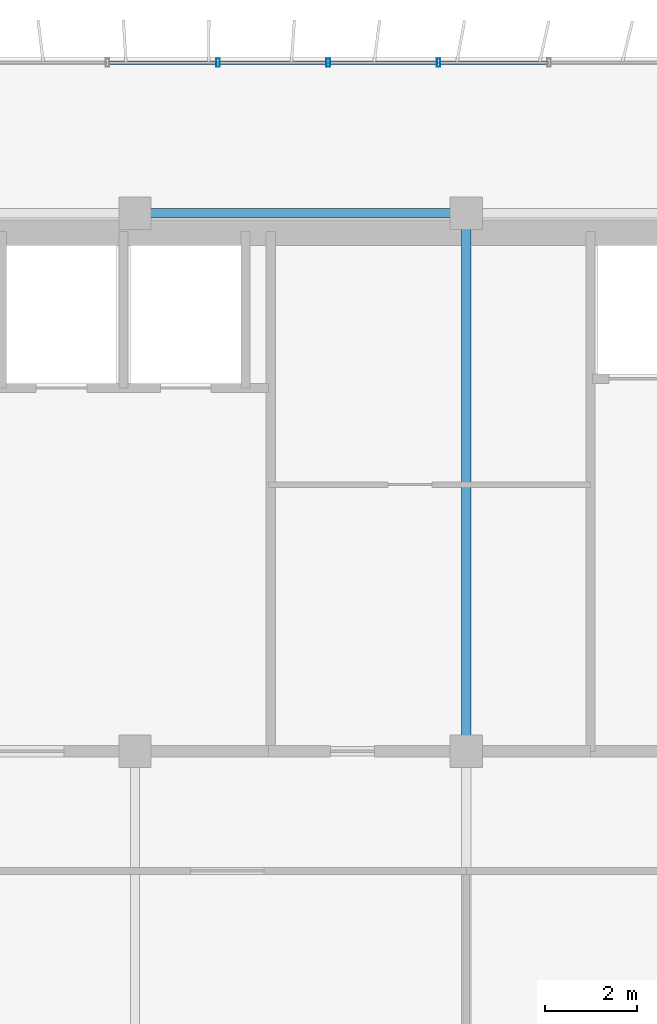
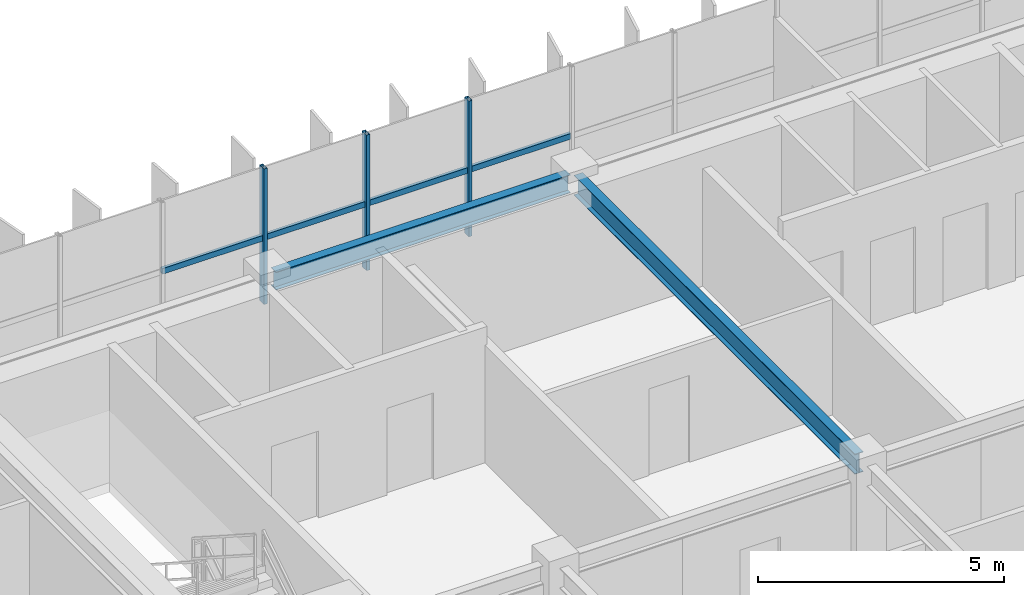
# One storey, part 7 of 19: 7 members, 2 beams, 1 element without a shape of its own.
"""IFC4 building model written with IfcOpenShell, lengths in metres."""

import ifcopenshell
import ifcopenshell.guid

model = None  # the IFC model being written
_history = None  # IfcOwnerHistory: only IFC2X3 demands one
_inside = {}  # id of a spatial element -> (the spatial element, [elements in it])
_under = {}  # id of a project, library or spatial element -> (it, [spatial elements below it])
_declared = {}  # id of a project -> (the project, [libraries it declares])
_typed = {}  # id of a type object -> (the type object, [elements of that type])
_made_of = {}  # id of a material, layer set ... -> (it, [elements and type objects made of it])


def new_model(schema):
    """Start an empty IFC model of exactly this schema.

    Asked for "IFC4X3", IfcOpenShell would pick the latest addendum, in which some entities
    have other attributes; the version numbers below select the first issue.
    IFC2X3 requires an IfcOwnerHistory on every rooted entity: one is made here for all.
    """
    global model, _history
    if schema == "IFC4X3":
        model = ifcopenshell.file(schema_version=(4, 3, 0, 0))
    else:
        model = ifcopenshell.file(schema=schema)
    _inside.clear()
    _under.clear()
    _declared.clear()
    _typed.clear()
    _made_of.clear()
    _history = None
    if model.schema == "IFC2X3":
        org = make("IfcOrganization", Name="unknown")
        user = make(
            "IfcPersonAndOrganization",
            ThePerson=make("IfcPerson", FamilyName="unknown"),
            TheOrganization=org,
        )
        app = make(
            "IfcApplication",
            ApplicationDeveloper=org,
            Version="unknown",
            ApplicationFullName="unknown",
            ApplicationIdentifier="unknown",
        )
        _history = make(
            "IfcOwnerHistory",
            OwningUser=user,
            OwningApplication=app,
            ChangeAction="ADDED",
            CreationDate=0,
        )
    return model


def make(cls, **values):
    """One entity of the class cls with the attributes given. An attribute that is None is left unset."""
    return model.create_entity(
        cls, **{name: value for name, value in values.items() if value is not None}
    )


def rooted(cls, **values):
    """An entity with a GlobalId (a new one), such as an element, a storey or a relation."""
    return make(cls, GlobalId=ifcopenshell.guid.new(), OwnerHistory=_history, **values)


def si_unit(unit_type, name, prefix=None):
    """IfcSIUnit, for example si_unit("LENGTHUNIT", "METRE", prefix="MILLI")."""
    return make("IfcSIUnit", UnitType=unit_type, Prefix=prefix, Name=name)


def assignment(units):
    """IfcUnitAssignment: the units of a project."""
    return None if units is None else make("IfcUnitAssignment", Units=units)


def point(xyz):
    """IfcCartesianPoint."""
    return None if xyz is None else make("IfcCartesianPoint", Coordinates=xyz)


def direction(xyz):
    """IfcDirection."""
    return None if xyz is None else make("IfcDirection", DirectionRatios=xyz)


def frame(location, z_axis=None, x_axis=None):
    """IfcAxis2Placement3D, a coordinate frame: its origin and axes. An axis left out is left unset."""
    return make(
        "IfcAxis2Placement3D",
        Location=point(location),
        Axis=direction(z_axis),
        RefDirection=direction(x_axis),
    )


def frame_2d(location, x_axis=None):
    """IfcAxis2Placement2D, a coordinate frame in the plane: its origin and x axis."""
    return make(
        "IfcAxis2Placement2D", Location=point(location), RefDirection=direction(x_axis)
    )


def origin():
    """The frame at (0, 0, 0) with its axes left unset."""
    return frame((0.0, 0.0, 0.0))


def origin_2d():
    """The frame at (0, 0) in the plane with its x axis left unset."""
    return frame_2d((0.0, 0.0))


def place(relative_to, where):
    """IfcLocalPlacement: puts the frame where relative to a parent placement (None: the world)."""
    return make(
        "IfcLocalPlacement", PlacementRelTo=relative_to, RelativePlacement=where
    )


def context(
    kind, dimensions, precision=None, world=None, true_north=None, identifier=None
):
    """IfcGeometricRepresentationContext, for example the 3D "Model" context."""
    return make(
        "IfcGeometricRepresentationContext",
        ContextIdentifier=identifier,
        ContextType=kind,
        CoordinateSpaceDimension=dimensions,
        Precision=precision,
        WorldCoordinateSystem=world,
        TrueNorth=true_north,
    )


def subcontext(parent, identifier, kind, view, scale=None):
    """IfcGeometricRepresentationSubContext, for example "Body" below "Model"."""
    return make(
        "IfcGeometricRepresentationSubContext",
        ContextIdentifier=identifier,
        ContextType=kind,
        ParentContext=parent,
        TargetScale=scale,
        TargetView=view,
    )


def project(units=None, contexts=None):
    """IfcProject with its units and contexts."""
    return rooted(
        "IfcProject",
        Name="project",
        RepresentationContexts=contexts,
        UnitsInContext=assignment(units),
    )


def spatial(cls, under=None, at=None, **own):
    """A site, building, storey or space (cls), placed at a placement, below another one or the project."""
    s = rooted(cls, ObjectPlacement=at, **own)
    if under is not None:
        _under.setdefault(under.id(), (under, []))[1].append(s)
    return s


def profile(cls, at=None, kind="AREA", **sizes):
    """A parametric profile (cls). Its sizes go by their IFC names, for example OverallWidth=200.0."""
    return make(cls, ProfileType=kind, Position=at, **sizes)


def hollow_rectangle(**sizes):
    """IfcRectangleHollowProfileDef."""
    return profile("IfcRectangleHollowProfileDef", **sizes)


def i_section(**sizes):
    """IfcIShapeProfileDef."""
    return profile("IfcIShapeProfileDef", **sizes)


def extrude(swept, where, along, depth):
    """IfcExtrudedAreaSolid: the profile swept, set in the frame where, extruded along a direction by depth."""
    return make(
        "IfcExtrudedAreaSolid",
        SweptArea=swept,
        Position=where,
        ExtrudedDirection=direction(along),
        Depth=depth,
    )


def shape(context_of_items, identifier, shape_type, items):
    """IfcShapeRepresentation: the items that make up one representation, for example the "Body"."""
    return make(
        "IfcShapeRepresentation",
        ContextOfItems=context_of_items,
        RepresentationIdentifier=identifier,
        RepresentationType=shape_type,
        Items=items,
    )


def source(mapping_origin, context_of_items, identifier, shape_type, items):
    """IfcRepresentationMap: a shape defined once, which mapped items show again and again."""
    return make(
        "IfcRepresentationMap",
        MappingOrigin=mapping_origin,
        MappedRepresentation=shape(context_of_items, identifier, shape_type, items),
    )


def transform(
    local_origin,
    x_axis=None,
    y_axis=None,
    z_axis=None,
    scale=None,
    scale2=None,
    scale3=None,
    uniform=True,
):
    """IfcCartesianTransformationOperator3D, or its non-uniform kind. x_axis, y_axis, z_axis: its Axis1, 2, 3."""
    if uniform:
        return make(
            "IfcCartesianTransformationOperator3D",
            Axis1=direction(x_axis),
            Axis2=direction(y_axis),
            LocalOrigin=point(local_origin),
            Scale=scale,
            Axis3=direction(z_axis),
        )
    return make(
        "IfcCartesianTransformationOperator3DnonUniform",
        Axis1=direction(x_axis),
        Axis2=direction(y_axis),
        LocalOrigin=point(local_origin),
        Scale=scale,
        Axis3=direction(z_axis),
        Scale2=scale2,
        Scale3=scale3,
    )


def mapped(mapping_source, mapping_target):
    """IfcMappedItem: shows the shape of a source again, moved by a transform."""
    return make(
        "IfcMappedItem", MappingSource=mapping_source, MappingTarget=mapping_target
    )


def material(Name=None, Category=None):
    """IfcMaterial."""
    return make("IfcMaterial", Name=Name, Category=Category)


def material_profile(
    of_material, cross_section, Name=None, Category=None, Priority=None
):
    """IfcMaterialProfile: a cross section and its material."""
    return make(
        "IfcMaterialProfile",
        Name=Name,
        Material=of_material,
        Profile=cross_section,
        Priority=Priority,
        Category=Category,
    )


def profile_set(profiles, Name=None, composite=None):
    """IfcMaterialProfileSet."""
    return make(
        "IfcMaterialProfileSet",
        Name=Name,
        MaterialProfiles=profiles,
        CompositeProfile=composite,
    )


def made_of(thing, what):
    """Note that an element or type object is made of a material, layer set ...; save() writes the relation."""
    if what is not None:
        _made_of.setdefault(what.id(), (what, []))[1].append(thing)
    return thing


def type_object(cls, material=None, **own):
    """A type object (cls), such as IfcWallType, which elements share."""
    return made_of(rooted(cls, **own), material)


def element(
    cls,
    number,
    at=None,
    inside=None,
    cuts=None,
    type_object=None,
    material=None,
    context=None,
    identifier="Body",
    shape_type=None,
    held_by="IfcProductDefinitionShape",
    body=None,
    shapes=None,
    **own,
):
    """One element of the class cls, such as IfcWall. Its Tag is "e" and its number.

    at: its placement. inside: the storey or other place that contains it. cuts: it is an
    opening in that element (IfcRelVoidsElement). A single representation is given by context,
    identifier, shape_type and body (its items); several are given by shapes. held_by: the class
    of the entity that holds the representations. save() writes the other relations.
    """
    e = rooted(cls, Tag="e%d" % number, ObjectPlacement=at, **own)
    if body is not None:
        shapes = [shape(context, identifier, shape_type, body)]
    if shapes is not None:
        e.Representation = make(held_by, Representations=shapes)
    if inside is not None:
        _inside.setdefault(inside.id(), (inside, []))[1].append(e)
    if cuts is not None:
        rooted(
            "IfcRelVoidsElement", RelatingBuildingElement=cuts, RelatedOpeningElement=e
        )
    if type_object is not None:
        _typed.setdefault(type_object.id(), (type_object, []))[1].append(e)
    return made_of(e, material)


def aggregate(whole, parts):
    """IfcRelAggregates: a whole, such as a stair, and the parts it consists of."""
    return rooted("IfcRelAggregates", RelatingObject=whole, RelatedObjects=parts)


def save(model, path):
    """Write the relations noted so far, then the file.

    IfcRelAggregates (storeys below a building ...), IfcRelContainedInSpatialStructure (elements
    in a storey), IfcRelDefinesByType, IfcRelAssociatesMaterial and IfcRelDeclares: one each for
    every whole, place, type object, material and project.
    """
    for whole, parts in _under.values():
        aggregate(whole, parts)
    for where, things in _inside.values():
        rooted(
            "IfcRelContainedInSpatialStructure",
            RelatedElements=things,
            RelatingStructure=where,
        )
    for kind, things in _typed.values():
        rooted("IfcRelDefinesByType", RelatedObjects=things, RelatingType=kind)
    for what, things in _made_of.values():
        rooted("IfcRelAssociatesMaterial", RelatedObjects=things, RelatingMaterial=what)
    for by, libraries in _declared.values():
        rooted("IfcRelDeclares", RelatingContext=by, RelatedDefinitions=libraries)
    model.write(path)


model = new_model("IFC4")

# Units and contexts
model_context = context("Model", 3, precision=1e-05, world=origin(), true_north=direction((0.0, 1.0)))
body_context = subcontext(model_context, "Body", "Model", "MODEL_VIEW")
ifc_project = project(units=[si_unit("LENGTHUNIT", "METRE"), si_unit("AREAUNIT", "SQUARE_METRE"), si_unit("VOLUMEUNIT", "CUBIC_METRE"), si_unit("PLANEANGLEUNIT", "RADIAN"), si_unit("MASSUNIT", "GRAM", prefix="KILO")], contexts=[model_context])

# Site, building, storey
site_placement = place(None, origin())
site = spatial("IfcSite", under=ifc_project, at=site_placement, CompositionType="ELEMENT")
building_placement = place(site_placement, origin())
building = spatial("IfcBuilding", under=site, at=building_placement, Name="Trelvane Seafront Commons", CompositionType="ELEMENT")
storey_placement = place(building_placement, frame((0.0, 0.0, 215.699951171875)))
storey = spatial("IfcBuildingStorey", under=building, at=storey_placement, Name="L56", CompositionType="ELEMENT", Elevation=215.699951171875)

# Beams
ifc_material_1 = material(Name="Steel SM355 (S355)", Category="steel")
ifc_material_profile_1 = material_profile(ifc_material_1, i_section(OverallWidth=0.199951171875, OverallDepth=0.5, WebThickness=0.010009765625, FlangeThickness=0.01611328125, at=origin_2d()), Name="H-500x200x10x16")
ifc_profile_set_1 = profile_set([ifc_material_profile_1], Name="Steel SM355 (S355)")
beam_type_1 = type_object("IfcBeamType", Name="STR-BM-H500", PredefinedType="BEAM", material=ifc_profile_set_1)
shared_shape_1 = source(origin(), body_context, "Body", "SweptSolid", [
    extrude(i_section(OverallWidth=0.199951171875, OverallDepth=0.5, WebThickness=0.010009765625, FlangeThickness=0.01611328125, at=origin_2d()), origin(), (0.0, 0.0, 1.0), 11.39990234375),
])
beam_1_placement = place(storey_placement, frame((30.60009765625, 33.550048828125, 3.110107421875), z_axis=(0.0, 1.0, 0.0), x_axis=(-1.0, 0.0, 0.0)))
element("IfcBeam", 1, at=beam_1_placement, inside=storey, type_object=beam_type_1, Name="L56 Primary Girder G-40", PredefinedType="BEAM", context=body_context, shape_type="MappedRepresentation", body=[
    mapped(shared_shape_1, transform((0.0, 0.0, 0.0), x_axis=(1.0, 0.0, 0.0), y_axis=(0.0, 1.0, 0.0), z_axis=(0.0, 0.0, 1.0), scale=1.0)),
])
ifc_material_profile_2 = material_profile(ifc_material_1, i_section(OverallWidth=0.199951171875, OverallDepth=0.449951171875, WebThickness=0.009033203125, FlangeThickness=0.013916015625, at=origin_2d()), Name="H-450x200x9x14")
ifc_profile_set_2 = profile_set([ifc_material_profile_2], Name="Steel SM355 (S355)")
beam_type_2 = type_object("IfcBeamType", Name="STR-SPD-H450", PredefinedType="SPANDREL", material=ifc_profile_set_2)
shared_shape_2 = source(origin(), body_context, "Body", "SweptSolid", [
    extrude(i_section(OverallWidth=0.199951171875, OverallDepth=0.449951171875, WebThickness=0.009033203125, FlangeThickness=0.013916015625, at=origin_2d()), origin(), (0.0, 0.0, 1.0), 6.89990234375),
])
beam_2_placement = place(storey_placement, frame((23.550048828125, 45.10009765625, 3.135009765625), z_axis=(1.0, 0.0, 0.0), x_axis=(0.0, 1.0, 0.0)))
element("IfcBeam", 2, at=beam_2_placement, inside=storey, type_object=beam_type_2, Name="L56 Primary Girder G-24", PredefinedType="SPANDREL", context=body_context, shape_type="MappedRepresentation", body=[
    mapped(shared_shape_2, transform((0.0, 0.0, 0.0), x_axis=(1.0, 0.0, 0.0), y_axis=(0.0, 1.0, 0.0), z_axis=(0.0, 0.0, 1.0), scale=1.0)),
])

# Curtain wall, members
ifc_material_2 = material(Name="Anodised pale-silver aluminium", Category="aluminium")
curtain_wall_type = type_object("IfcCurtainWallType", Name="ARCH-CW4-SKYLOBBY", PredefinedType="NOTDEFINED", material=ifc_material_2)
curtain_wall_placement = place(storey_placement, origin())
curtain_wall = element("IfcCurtainWall", 3, at=curtain_wall_placement, inside=storey, type_object=curtain_wall_type, Name="CW-L56-0099", PredefinedType="NOTDEFINED")
ifc_material_profile_3 = material_profile(ifc_material_2, hollow_rectangle(XDim=0.074951171875, YDim=0.139892578125, WallThickness=0.00390625, at=origin_2d()), Name="TRAN-75x140x4")
ifc_profile_set_3 = profile_set([ifc_material_profile_3], Name="Anodised pale-silver aluminium")
member_type_1 = type_object("IfcMemberType", Name="ARCH-CW-TRAN-140", PredefinedType="USERDEFINED", material=ifc_profile_set_3)
shared_shape_3 = source(origin(), body_context, "Body", "SweptSolid", [
    extrude(hollow_rectangle(XDim=0.074951171875, YDim=0.139892578125, WallThickness=0.00390625, at=origin_2d()), origin(), (0.0, 0.0, 1.0), 2.3759765625),
])
member_1_placement = place(storey_placement, frame((22.81201171875, 48.3701171875, 1.613037109375), z_axis=(1.0, 0.0, 0.0), x_axis=(0.0, 1.0, 0.0)))
member_1 = element("IfcMember", 4, at=member_1_placement, type_object=member_type_1, Name="CW-L56-0099-T03", ObjectType="TRANSOM", PredefinedType="USERDEFINED", context=body_context, shape_type="MappedRepresentation", body=[
    mapped(shared_shape_3, transform((0.0, 0.0, 0.0), x_axis=(1.0, 0.0, 0.0), y_axis=(0.0, 1.0, 0.0), z_axis=(0.0, 0.0, 1.0), scale=1.0)),
])
member_2_placement = place(storey_placement, frame((25.2119140625, 48.3701171875, 1.613037109375), z_axis=(1.0, 0.0, 0.0), x_axis=(0.0, 1.0, 0.0)))
member_2 = element("IfcMember", 5, at=member_2_placement, type_object=member_type_1, Name="CW-L56-0099-T04", ObjectType="TRANSOM", PredefinedType="USERDEFINED", context=body_context, shape_type="MappedRepresentation", body=[
    mapped(shared_shape_3, transform((0.0, 0.0, 0.0), x_axis=(1.0, 0.0, 0.0), y_axis=(0.0, 1.0, 0.0), z_axis=(0.0, 0.0, 1.0), scale=1.0)),
])
member_3_placement = place(storey_placement, frame((27.612060546875, 48.3701171875, 1.613037109375), z_axis=(1.0, 0.0, 0.0), x_axis=(0.0, 1.0, 0.0)))
member_3 = element("IfcMember", 6, at=member_3_placement, type_object=member_type_1, Name="CW-L56-0099-T05", ObjectType="TRANSOM", PredefinedType="USERDEFINED", context=body_context, shape_type="MappedRepresentation", body=[
    mapped(shared_shape_3, transform((0.0, 0.0, 0.0), x_axis=(1.0, 0.0, 0.0), y_axis=(0.0, 1.0, 0.0), z_axis=(0.0, 0.0, 1.0), scale=1.0)),
])
member_4_placement = place(storey_placement, frame((30.011962890625, 48.3701171875, 1.613037109375), z_axis=(1.0, 0.0, 0.0), x_axis=(0.0, 1.0, 0.0)))
member_4 = element("IfcMember", 7, at=member_4_placement, type_object=member_type_1, Name="CW-L56-0099-T06", ObjectType="TRANSOM", PredefinedType="USERDEFINED", context=body_context, shape_type="MappedRepresentation", body=[
    mapped(shared_shape_3, transform((0.0, 0.0, 0.0), x_axis=(1.0, 0.0, 0.0), y_axis=(0.0, 1.0, 0.0), z_axis=(0.0, 0.0, 1.0), scale=1.0)),
])
ifc_material_profile_4 = material_profile(ifc_material_2, hollow_rectangle(XDim=0.080078125, YDim=0.179931640625, WallThickness=0.00439453125, at=origin_2d()), Name="MULL-80x180x4.5")
ifc_profile_set_4 = profile_set([ifc_material_profile_4], Name="Anodised pale-silver aluminium")
member_type_2 = type_object("IfcMemberType", Name="ARCH-CW-MULL-180", PredefinedType="MULLION", material=ifc_profile_set_4)
shared_shape_4 = source(origin(), body_context, "Body", "SweptSolid", [
    extrude(hollow_rectangle(XDim=0.080078125, YDim=0.179931640625, WallThickness=0.00439453125, at=origin_2d()), origin(), (0.0, 0.0, 1.0), 3.360107421875),
])
member_5_placement = place(storey_placement, frame((25.199951171875, 48.3701171875, 0.0), z_axis=(0.0, 0.0, 1.0), x_axis=(1.0, 0.0, 0.0)))
member_5 = element("IfcMember", 8, at=member_5_placement, type_object=member_type_2, Name="CW-L56-0099-M04", PredefinedType="MULLION", context=body_context, shape_type="MappedRepresentation", body=[
    mapped(shared_shape_4, transform((0.0, 0.0, 0.0), x_axis=(1.0, 0.0, 0.0), y_axis=(0.0, 1.0, 0.0), z_axis=(0.0, 0.0, 1.0), scale=1.0)),
])
member_6_placement = place(storey_placement, frame((27.60009765625, 48.3701171875, 0.0), z_axis=(0.0, 0.0, 1.0), x_axis=(1.0, 0.0, 0.0)))
member_6 = element("IfcMember", 9, at=member_6_placement, type_object=member_type_2, Name="CW-L56-0099-M05", PredefinedType="MULLION", context=body_context, shape_type="MappedRepresentation", body=[
    mapped(shared_shape_4, transform((0.0, 0.0, 0.0), x_axis=(1.0, 0.0, 0.0), y_axis=(0.0, 1.0, 0.0), z_axis=(0.0, 0.0, 1.0), scale=1.0)),
])
member_7_placement = place(storey_placement, frame((30.0, 48.3701171875, 0.0), z_axis=(0.0, 0.0, 1.0), x_axis=(1.0, 0.0, 0.0)))
member_7 = element("IfcMember", 10, at=member_7_placement, type_object=member_type_2, Name="CW-L56-0099-M06", PredefinedType="MULLION", context=body_context, shape_type="MappedRepresentation", body=[
    mapped(shared_shape_4, transform((0.0, 0.0, 0.0), x_axis=(1.0, 0.0, 0.0), y_axis=(0.0, 1.0, 0.0), z_axis=(0.0, 0.0, 1.0), scale=1.0)),
])
aggregate(curtain_wall, [member_5, member_6, member_7, member_1, member_2, member_3, member_4])

save(model, "model.ifc")
